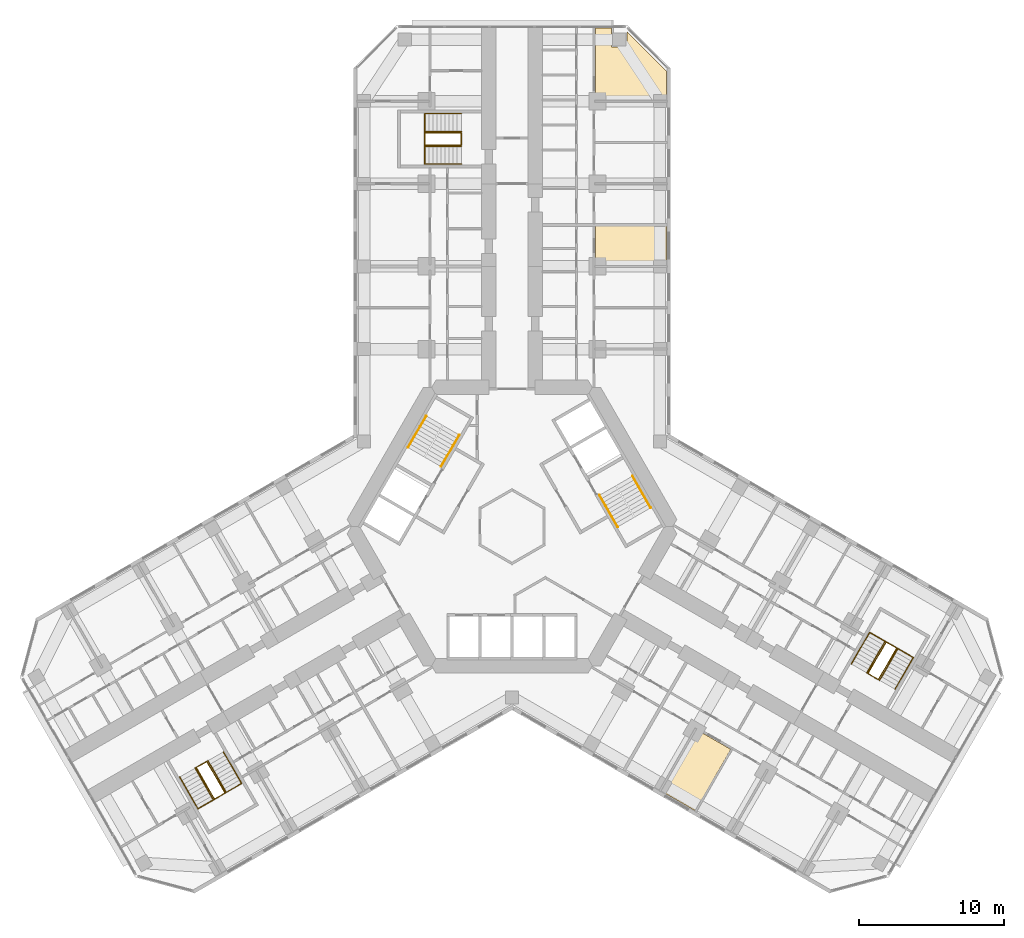
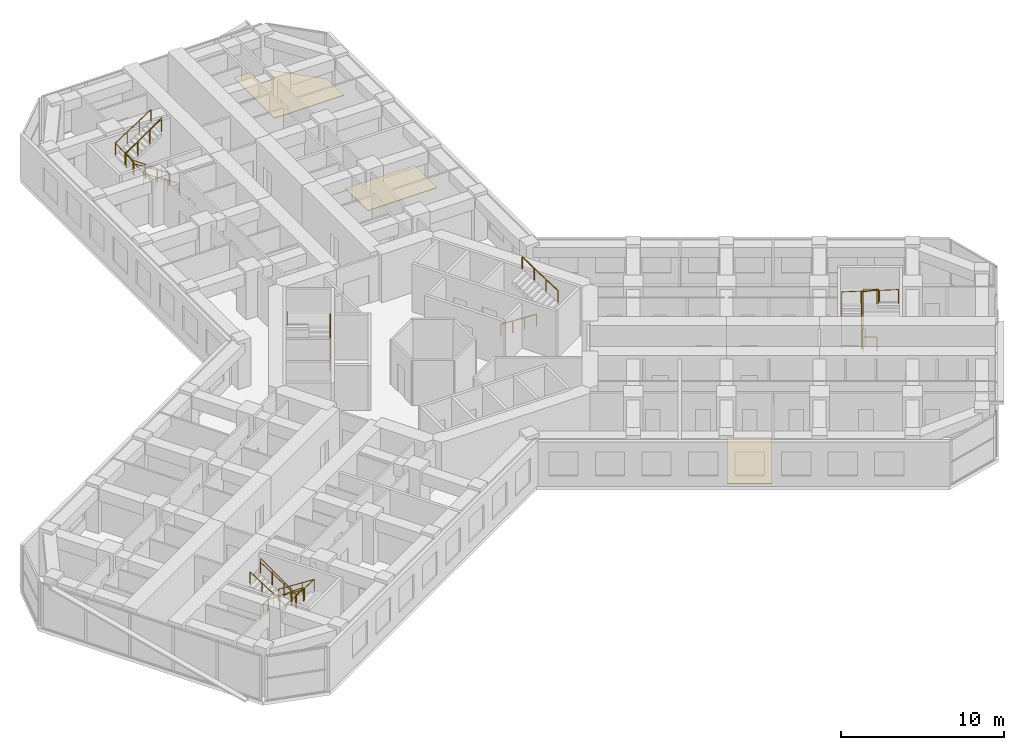
# One storey, part 21 of 21: 13 railings, 3 coverings.
"""IFC4 building model written with IfcOpenShell, lengths in metres."""

from ifc_helpers import new_model, si_unit, direction, frame, origin, origin_2d, place, context, subcontext, project, spatial, polyline, circle, outline, extrude, material, layer, layer_set, type_object, element, save


model = new_model("IFC4")

# Units and contexts
model_context = context("Model", 3, precision=1e-05, world=origin(), true_north=direction((0.0, 1.0)))
body_context = subcontext(model_context, "Body", "Model", "MODEL_VIEW")
ifc_project = project(units=[si_unit("LENGTHUNIT", "METRE"), si_unit("AREAUNIT", "SQUARE_METRE"), si_unit("VOLUMEUNIT", "CUBIC_METRE"), si_unit("PLANEANGLEUNIT", "RADIAN"), si_unit("MASSUNIT", "GRAM", prefix="KILO")], contexts=[model_context])

# Site, building, storey
site_placement = place(None, origin())
site = spatial("IfcSite", under=ifc_project, at=site_placement, CompositionType="ELEMENT")
building_placement = place(site_placement, origin())
building = spatial("IfcBuilding", under=site, at=building_placement, Name="Kosmar Iwan School Tower", CompositionType="ELEMENT")
storey_placement = place(building_placement, frame((0.0, 0.0, 88.0)))
storey = spatial("IfcBuildingStorey", under=building, at=storey_placement, Name="L21", CompositionType="ELEMENT", Elevation=88.0)

# Railings
ifc_material_1 = material(Name="Black steel", Category="steel")
railing_type_1 = type_object("IfcRailingType", Name="Stair handrail 900", PredefinedType="HANDRAIL", material=ifc_material_1)
railing_1_placement = place(storey_placement, frame((-4.89453125, 4.142333984375, 0.179931640625)))
element("IfcRailing", 1, at=railing_1_placement, inside=storey, type_object=railing_type_1, Name="Handrail ST2 flight 1", PredefinedType="HANDRAIL", context=body_context, shape_type="SweptSolid", body=[
    extrude(circle(Radius=0.02392578125, at=origin_2d()), frame((0.0, 0.0, 0.8759765625), z_axis=(0.420584145978, 0.728463801763, 0.540785970299), x_axis=(-0.866022637375, 0.500004791531, 0.0)), (0.0, 0.0, 1.0), 2.995849609375),
    extrude(circle(Radius=0.02099609375, at=origin_2d()), origin(), (0.0, 0.0, 1.0), 0.851806640625),
    extrude(circle(Radius=0.02099609375, at=origin_2d()), frame((0.419921875, 0.7275390625, 0.5400390625)), (0.0, 0.0, 1.0), 0.851806640625),
    extrude(circle(Radius=0.02099609375, at=origin_2d()), frame((0.840087890625, 1.454833984375, 1.080078125)), (0.0, 0.0, 1.0), 0.851806640625),
    extrude(circle(Radius=0.02099609375, at=origin_2d()), frame((1.260009765625, 2.182373046875, 1.6201171875)), (0.0, 0.0, 1.0), 0.851806640625),
])
railing_2_placement = place(storey_placement, frame((-5.912353515625, 7.6396484375, 1.97998046875)))
element("IfcRailing", 2, at=railing_2_placement, inside=storey, type_object=railing_type_1, Name="Handrail ST2 flight 2", PredefinedType="HANDRAIL", context=body_context, shape_type="SweptSolid", body=[
    extrude(circle(Radius=0.02392578125, at=origin_2d()), frame((0.0, 0.0, 0.8759765625), z_axis=(-0.420584145978, -0.728463801763, 0.540785970299), x_axis=(0.866022637375, -0.500004791531, 0.0)), (0.0, 0.0, 1.0), 2.995849609375),
    extrude(circle(Radius=0.02099609375, at=origin_2d()), origin(), (0.0, 0.0, 1.0), 0.851806640625),
    extrude(circle(Radius=0.02099609375, at=origin_2d()), frame((-0.419921875, -0.7275390625, 0.5400390625)), (0.0, 0.0, 1.0), 0.851806640625),
    extrude(circle(Radius=0.02099609375, at=origin_2d()), frame((-0.840087890625, -1.454833984375, 1.080078125)), (0.0, 0.0, 1.0), 0.851806640625),
    extrude(circle(Radius=0.02099609375, at=origin_2d()), frame((-1.260009765625, -2.182373046875, 1.6201171875)), (0.0, 0.0, 1.0), 0.851806640625),
])
railing_3_placement = place(storey_placement, frame((6.03466796875, 2.167724609375, 0.179931640625)))
element("IfcRailing", 3, at=railing_3_placement, inside=storey, type_object=railing_type_1, Name="Handrail ST1 flight 1", PredefinedType="HANDRAIL", context=body_context, shape_type="SweptSolid", body=[
    extrude(circle(Radius=0.02392578125, at=origin_2d()), frame((0.0, 0.0, 0.8759765625), z_axis=(0.420584145978, -0.728463801763, 0.540785970299), x_axis=(0.866022637375, 0.500004791531, 0.0)), (0.0, 0.0, 1.0), 2.995849609375),
    extrude(circle(Radius=0.02099609375, at=origin_2d()), origin(), (0.0, 0.0, 1.0), 0.851806640625),
    extrude(circle(Radius=0.02099609375, at=origin_2d()), frame((0.419921875, -0.7275390625, 0.5400390625)), (0.0, 0.0, 1.0), 0.851806640625),
    extrude(circle(Radius=0.02099609375, at=origin_2d()), frame((0.840087890625, -1.454833984375, 1.080078125)), (0.0, 0.0, 1.0), 0.851806640625),
    extrude(circle(Radius=0.02099609375, at=origin_2d()), frame((1.260009765625, -2.182373046875, 1.6201171875)), (0.0, 0.0, 1.0), 0.851806640625),
])
railing_4_placement = place(storey_placement, frame((9.572265625, 1.30029296875, 1.97998046875)))
element("IfcRailing", 4, at=railing_4_placement, inside=storey, type_object=railing_type_1, Name="Handrail ST1 flight 2", PredefinedType="HANDRAIL", context=body_context, shape_type="SweptSolid", body=[
    extrude(circle(Radius=0.02392578125, at=origin_2d()), frame((0.0, 0.0, 0.8759765625), z_axis=(-0.420584145978, 0.728463801763, 0.540785970299), x_axis=(-0.866022637375, -0.500004791531, 0.0)), (0.0, 0.0, 1.0), 2.995849609375),
    extrude(circle(Radius=0.02099609375, at=origin_2d()), origin(), (0.0, 0.0, 1.0), 0.851806640625),
    extrude(circle(Radius=0.02099609375, at=origin_2d()), frame((-0.419921875, 0.7275390625, 0.5400390625)), (0.0, 0.0, 1.0), 0.851806640625),
    extrude(circle(Radius=0.02099609375, at=origin_2d()), frame((-0.840087890625, 1.454833984375, 1.080078125)), (0.0, 0.0, 1.0), 0.851806640625),
    extrude(circle(Radius=0.02099609375, at=origin_2d()), frame((-1.260009765625, 2.182373046875, 1.6201171875)), (0.0, 0.0, 1.0), 0.851806640625),
])
railing_5_placement = place(storey_placement, frame((-3.5, 25.010009765625, 0.179931640625)))
element("IfcRailing", 5, at=railing_5_placement, inside=storey, type_object=railing_type_1, Name="Handrail stair WS1 L21 wall side", PredefinedType="HANDRAIL", context=body_context, shape_type="SweptSolid", body=[
    extrude(circle(Radius=0.02392578125, at=origin_2d()), frame((0.0, 0.0, 0.8759765625), z_axis=(-0.841162588446, 0.0, 0.540782303519), x_axis=(0.0, -1.0, 0.0)), (0.0, 0.0, 1.0), 2.995849609375),
    extrude(circle(Radius=0.02392578125, at=origin_2d()), frame((-2.52001953125, 0.0, 2.49609375), z_axis=(0.0, 0.998665981786, 0.051635809497), x_axis=(-1.0, 0.0, 0.0)), (0.0, 0.0, 1.0), 3.484619140625),
    extrude(circle(Radius=0.02392578125, at=origin_2d()), frame((-2.52001953125, 3.47998046875, 2.67578125), z_axis=(0.841162588446, 0.0, 0.540782303519), x_axis=(0.0, 1.0, 0.0)), (0.0, 0.0, 1.0), 2.995849609375),
    extrude(circle(Radius=0.02099609375, at=origin_2d()), origin(), (0.0, 0.0, 1.0), 0.851806640625),
    extrude(circle(Radius=0.02099609375, at=origin_2d()), frame((-0.840087890625, 0.0, 0.5400390625)), (0.0, 0.0, 1.0), 0.851806640625),
    extrude(circle(Radius=0.02099609375, at=origin_2d()), frame((-1.679931640625, 0.0, 1.080078125)), (0.0, 0.0, 1.0), 0.851806640625),
    extrude(circle(Radius=0.02099609375, at=origin_2d()), frame((-2.52001953125, 0.0, 1.6201171875)), (0.0, 0.0, 1.0), 0.851806640625),
    extrude(circle(Radius=0.02099609375, at=origin_2d()), frame((-2.52001953125, 1.159912109375, 1.68017578125)), (0.0, 0.0, 1.0), 0.851806640625),
    extrude(circle(Radius=0.02099609375, at=origin_2d()), frame((-2.52001953125, 2.320068359375, 1.739990234375)), (0.0, 0.0, 1.0), 0.851806640625),
    extrude(circle(Radius=0.02099609375, at=origin_2d()), frame((-2.52001953125, 3.47998046875, 1.800048828125)), (0.0, 0.0, 1.0), 0.851806640625),
    extrude(circle(Radius=0.02099609375, at=origin_2d()), frame((-1.679931640625, 3.47998046875, 2.340087890625)), (0.0, 0.0, 1.0), 0.851806640625),
    extrude(circle(Radius=0.02099609375, at=origin_2d()), frame((-0.840087890625, 3.47998046875, 2.880126953125)), (0.0, 0.0, 1.0), 0.851806640625),
    extrude(circle(Radius=0.02099609375, at=origin_2d()), frame((0.0, 3.47998046875, 3.420166015625)), (0.0, 0.0, 1.0), 0.851806640625),
])
railing_6_placement = place(storey_placement, frame((-3.5, 26.239990234375, 0.179931640625)))
element("IfcRailing", 6, at=railing_6_placement, inside=storey, type_object=railing_type_1, Name="Handrail stair WS1 L21 well side", PredefinedType="HANDRAIL", context=body_context, shape_type="SweptSolid", body=[
    extrude(circle(Radius=0.02392578125, at=origin_2d()), frame((0.0, 0.0, 0.8759765625), z_axis=(-0.841162588446, 0.0, 0.540782303519), x_axis=(0.0, -1.0, 0.0)), (0.0, 0.0, 1.0), 2.995849609375),
    extrude(circle(Radius=0.02392578125, at=origin_2d()), frame((-2.52001953125, 0.0, 2.49609375), z_axis=(0.0, 0.984795421109, 0.173718100851), x_axis=(-1.0, 0.0, 0.0)), (0.0, 0.0, 1.0), 1.035888671875),
    extrude(circle(Radius=0.02392578125, at=origin_2d()), frame((-2.52001953125, 1.02001953125, 2.67578125), z_axis=(0.841162588446, 0.0, 0.540782303519), x_axis=(0.0, 1.0, 0.0)), (0.0, 0.0, 1.0), 2.995849609375),
    extrude(circle(Radius=0.02099609375, at=origin_2d()), origin(), (0.0, 0.0, 1.0), 0.851806640625),
    extrude(circle(Radius=0.02099609375, at=origin_2d()), frame((-0.840087890625, 0.0, 0.5400390625)), (0.0, 0.0, 1.0), 0.851806640625),
    extrude(circle(Radius=0.02099609375, at=origin_2d()), frame((-1.679931640625, 0.0, 1.080078125)), (0.0, 0.0, 1.0), 0.851806640625),
    extrude(circle(Radius=0.02099609375, at=origin_2d()), frame((-2.52001953125, 0.0, 1.6201171875)), (0.0, 0.0, 1.0), 0.851806640625),
    extrude(circle(Radius=0.02099609375, at=origin_2d()), frame((-2.52001953125, 1.02001953125, 1.800048828125)), (0.0, 0.0, 1.0), 0.851806640625),
    extrude(circle(Radius=0.02099609375, at=origin_2d()), frame((-1.679931640625, 1.02001953125, 2.340087890625)), (0.0, 0.0, 1.0), 0.851806640625),
    extrude(circle(Radius=0.02099609375, at=origin_2d()), frame((-0.840087890625, 1.02001953125, 2.880126953125)), (0.0, 0.0, 1.0), 0.851806640625),
    extrude(circle(Radius=0.02099609375, at=origin_2d()), frame((0.0, 1.02001953125, 3.420166015625)), (0.0, 0.0, 1.0), 0.851806640625),
])
railing_7_placement = place(storey_placement, frame((-19.9091796875, -15.5361328125, 0.179931640625)))
element("IfcRailing", 7, at=railing_7_placement, inside=storey, type_object=railing_type_1, Name="Handrail stair WS2 L21 wall side", PredefinedType="HANDRAIL", context=body_context, shape_type="SweptSolid", body=[
    extrude(circle(Radius=0.02392578125, at=origin_2d()), frame((0.0, 0.0, 0.8759765625), z_axis=(0.420517065106, -0.728488768407, 0.540804504659), x_axis=(0.866064587494, 0.499932125682, 0.0)), (0.0, 0.0, 1.0), 2.995849609375),
    extrude(circle(Radius=0.02392578125, at=origin_2d()), frame((1.259765625, -2.182373046875, 2.49609375), z_axis=(-0.864864352349, -0.499342858003, 0.051636829851), x_axis=(0.500009906705, -0.86601968407, 0.0)), (0.0, 0.0, 1.0), 3.484619140625),
    extrude(circle(Radius=0.02392578125, at=origin_2d()), frame((-1.75390625, -3.92236328125, 2.67578125), z_axis=(-0.420584145978, 0.728463801763, 0.540785970299), x_axis=(-0.866022637375, -0.500004791531, 0.0)), (0.0, 0.0, 1.0), 2.995849609375),
    extrude(circle(Radius=0.02099609375, at=origin_2d()), origin(), (0.0, 0.0, 1.0), 0.851806640625),
    extrude(circle(Radius=0.02099609375, at=origin_2d()), frame((0.419921875, -0.7275390625, 0.5400390625)), (0.0, 0.0, 1.0), 0.851806640625),
    extrude(circle(Radius=0.02099609375, at=origin_2d()), frame((0.83984375, -1.454833984375, 1.080078125)), (0.0, 0.0, 1.0), 0.851806640625),
    extrude(circle(Radius=0.02099609375, at=origin_2d()), frame((1.259765625, -2.182373046875, 1.6201171875)), (0.0, 0.0, 1.0), 0.851806640625),
    extrude(circle(Radius=0.02099609375, at=origin_2d()), frame((0.255126953125, -2.762451171875, 1.68017578125)), (0.0, 0.0, 1.0), 0.851806640625),
    extrude(circle(Radius=0.02099609375, at=origin_2d()), frame((-0.749267578125, -3.34228515625, 1.739990234375)), (0.0, 0.0, 1.0), 0.851806640625),
    extrude(circle(Radius=0.02099609375, at=origin_2d()), frame((-1.75390625, -3.92236328125, 1.800048828125)), (0.0, 0.0, 1.0), 0.851806640625),
    extrude(circle(Radius=0.02099609375, at=origin_2d()), frame((-2.173828125, -3.19482421875, 2.340087890625)), (0.0, 0.0, 1.0), 0.851806640625),
    extrude(circle(Radius=0.02099609375, at=origin_2d()), frame((-2.593994140625, -2.467529296875, 2.880126953125)), (0.0, 0.0, 1.0), 0.851806640625),
    extrude(circle(Radius=0.02099609375, at=origin_2d()), frame((-3.013916015625, -1.739990234375, 3.420166015625)), (0.0, 0.0, 1.0), 0.851806640625),
])
railing_8_placement = place(storey_placement, frame((-20.974609375, -16.151123046875, 0.179931640625)))
element("IfcRailing", 8, at=railing_8_placement, inside=storey, type_object=railing_type_1, Name="Handrail stair WS2 L21 well side", PredefinedType="HANDRAIL", context=body_context, shape_type="SweptSolid", body=[
    extrude(circle(Radius=0.02392578125, at=origin_2d()), frame((0.0, 0.0, 0.8759765625), z_axis=(0.420584145978, -0.728463801763, 0.540785970299), x_axis=(0.866022637375, 0.500004791531, 0.0)), (0.0, 0.0, 1.0), 2.995849609375),
    extrude(circle(Radius=0.02392578125, at=origin_2d()), frame((1.260009765625, -2.182373046875, 2.49609375), z_axis=(-0.852841519511, -0.492422867401, 0.173726976197), x_axis=(0.500026340207, -0.866010195725, 0.0)), (0.0, 0.0, 1.0), 1.03564453125),
    extrude(circle(Radius=0.02392578125, at=origin_2d()), frame((0.376708984375, -2.6923828125, 2.67578125), z_axis=(-0.420584145978, 0.728463801763, 0.540785970299), x_axis=(-0.866022637375, -0.500004791531, 0.0)), (0.0, 0.0, 1.0), 2.995849609375),
    extrude(circle(Radius=0.02099609375, at=origin_2d()), origin(), (0.0, 0.0, 1.0), 0.851806640625),
    extrude(circle(Radius=0.02099609375, at=origin_2d()), frame((0.419921875, -0.7275390625, 0.5400390625)), (0.0, 0.0, 1.0), 0.851806640625),
    extrude(circle(Radius=0.02099609375, at=origin_2d()), frame((0.840087890625, -1.454833984375, 1.080078125)), (0.0, 0.0, 1.0), 0.851806640625),
    extrude(circle(Radius=0.02099609375, at=origin_2d()), frame((1.260009765625, -2.182373046875, 1.6201171875)), (0.0, 0.0, 1.0), 0.851806640625),
    extrude(circle(Radius=0.02099609375, at=origin_2d()), frame((0.376708984375, -2.6923828125, 1.800048828125)), (0.0, 0.0, 1.0), 0.851806640625),
    extrude(circle(Radius=0.02099609375, at=origin_2d()), frame((-0.043212890625, -1.96484375, 2.340087890625)), (0.0, 0.0, 1.0), 0.851806640625),
    extrude(circle(Radius=0.02099609375, at=origin_2d()), frame((-0.46337890625, -1.237548828125, 2.880126953125)), (0.0, 0.0, 1.0), 0.851806640625),
    extrude(circle(Radius=0.02099609375, at=origin_2d()), frame((-0.88330078125, -0.510009765625, 3.420166015625)), (0.0, 0.0, 1.0), 0.851806640625),
])
railing_9_placement = place(storey_placement, frame((23.4091796875, -9.473876953125, 0.179931640625)))
element("IfcRailing", 9, at=railing_9_placement, inside=storey, type_object=railing_type_1, Name="Handrail stair WS3 L21 wall side", PredefinedType="HANDRAIL", context=body_context, shape_type="SweptSolid", body=[
    extrude(circle(Radius=0.02392578125, at=origin_2d()), frame((0.0, 0.0, 0.8759765625), z_axis=(0.420584145978, 0.728463801763, 0.540785970299), x_axis=(-0.866022637375, 0.500004791531, 0.0)), (0.0, 0.0, 1.0), 2.995849609375),
    extrude(circle(Radius=0.02392578125, at=origin_2d()), frame((1.260009765625, 2.182373046875, 2.49609375), z_axis=(0.864882007433, -0.499312601618, 0.051633701051), x_axis=(0.499979528911, 0.866037222451, 0.0)), (0.0, 0.0, 1.0), 3.48486328125),
    extrude(circle(Radius=0.02392578125, at=origin_2d()), frame((4.27392578125, 0.4423828125, 2.67578125), z_axis=(-0.420584145978, -0.728463801763, 0.540785970299), x_axis=(0.866022637375, -0.500004791531, 0.0)), (0.0, 0.0, 1.0), 2.995849609375),
    extrude(circle(Radius=0.02099609375, at=origin_2d()), origin(), (0.0, 0.0, 1.0), 0.851806640625),
    extrude(circle(Radius=0.02099609375, at=origin_2d()), frame((0.419921875, 0.7275390625, 0.5400390625)), (0.0, 0.0, 1.0), 0.851806640625),
    extrude(circle(Radius=0.02099609375, at=origin_2d()), frame((0.840087890625, 1.454833984375, 1.080078125)), (0.0, 0.0, 1.0), 0.851806640625),
    extrude(circle(Radius=0.02099609375, at=origin_2d()), frame((1.260009765625, 2.182373046875, 1.6201171875)), (0.0, 0.0, 1.0), 0.851806640625),
    extrude(circle(Radius=0.02099609375, at=origin_2d()), frame((2.2646484375, 1.602294921875, 1.68017578125)), (0.0, 0.0, 1.0), 0.851806640625),
    extrude(circle(Radius=0.02099609375, at=origin_2d()), frame((3.269287109375, 1.0224609375, 1.739990234375)), (0.0, 0.0, 1.0), 0.851806640625),
    extrude(circle(Radius=0.02099609375, at=origin_2d()), frame((4.27392578125, 0.4423828125, 1.800048828125)), (0.0, 0.0, 1.0), 0.851806640625),
    extrude(circle(Radius=0.02099609375, at=origin_2d()), frame((3.85400390625, -0.28515625, 2.340087890625)), (0.0, 0.0, 1.0), 0.851806640625),
    extrude(circle(Radius=0.02099609375, at=origin_2d()), frame((3.433837890625, -1.012451171875, 2.880126953125)), (0.0, 0.0, 1.0), 0.851806640625),
    extrude(circle(Radius=0.02099609375, at=origin_2d()), frame((3.013916015625, -1.739990234375, 3.420166015625)), (0.0, 0.0, 1.0), 0.851806640625),
])
railing_10_placement = place(storey_placement, frame((24.474609375, -10.0888671875, 0.179931640625)))
element("IfcRailing", 10, at=railing_10_placement, inside=storey, type_object=railing_type_1, Name="Handrail stair WS3 L21 well side", PredefinedType="HANDRAIL", context=body_context, shape_type="SweptSolid", body=[
    extrude(circle(Radius=0.02392578125, at=origin_2d()), frame((0.0, 0.0, 0.8759765625), z_axis=(0.420584145978, 0.728463801763, 0.540785970299), x_axis=(-0.866022637375, 0.500004791531, 0.0)), (0.0, 0.0, 1.0), 2.995849609375),
    extrude(circle(Radius=0.02392578125, at=origin_2d()), frame((1.260009765625, 2.182373046875, 2.49609375), z_axis=(0.852841519511, -0.492422867401, 0.173726976197), x_axis=(0.500026340207, 0.866010195725, 0.0)), (0.0, 0.0, 1.0), 1.03564453125),
    extrude(circle(Radius=0.02392578125, at=origin_2d()), frame((2.143310546875, 1.67236328125, 2.67578125), z_axis=(-0.420584145978, -0.728463801763, 0.540785970299), x_axis=(0.866022637375, -0.500004791531, 0.0)), (0.0, 0.0, 1.0), 2.995849609375),
    extrude(circle(Radius=0.02099609375, at=origin_2d()), origin(), (0.0, 0.0, 1.0), 0.851806640625),
    extrude(circle(Radius=0.02099609375, at=origin_2d()), frame((0.419921875, 0.7275390625, 0.5400390625)), (0.0, 0.0, 1.0), 0.851806640625),
    extrude(circle(Radius=0.02099609375, at=origin_2d()), frame((0.840087890625, 1.454833984375, 1.080078125)), (0.0, 0.0, 1.0), 0.851806640625),
    extrude(circle(Radius=0.02099609375, at=origin_2d()), frame((1.260009765625, 2.182373046875, 1.6201171875)), (0.0, 0.0, 1.0), 0.851806640625),
    extrude(circle(Radius=0.02099609375, at=origin_2d()), frame((2.143310546875, 1.67236328125, 1.800048828125)), (0.0, 0.0, 1.0), 0.851806640625),
    extrude(circle(Radius=0.02099609375, at=origin_2d()), frame((1.723388671875, 0.94482421875, 2.340087890625)), (0.0, 0.0, 1.0), 0.851806640625),
    extrude(circle(Radius=0.02099609375, at=origin_2d()), frame((1.30322265625, 0.217529296875, 2.880126953125)), (0.0, 0.0, 1.0), 0.851806640625),
    extrude(circle(Radius=0.02099609375, at=origin_2d()), frame((0.88330078125, -0.510009765625, 3.420166015625)), (0.0, 0.0, 1.0), 0.851806640625),
])
ifc_material_2 = material(Name="Black steel", Category="steel")
railing_type_2 = type_object("IfcRailingType", Name="Stair well guard 1100", PredefinedType="GUARDRAIL", material=ifc_material_2)
railing_11_placement = place(storey_placement, frame((-3.5, 27.169921875, 0.0)))
element("IfcRailing", 11, at=railing_11_placement, inside=storey, type_object=railing_type_2, Name="Stair WS1 L21 well guard", PredefinedType="GUARDRAIL", context=body_context, shape_type="SweptSolid", body=[
    extrude(circle(Radius=0.02392578125, at=origin_2d()), frame((0.0, 0.0, 1.076171875), z_axis=(0.0, -1.0, 0.0), x_axis=(1.0, 0.0, 0.0)), (0.0, 0.0, 1.0), 0.83984375),
    extrude(circle(Radius=0.02392578125, at=origin_2d()), frame((0.0, -0.83984375, 1.076171875), z_axis=(-0.813728144527, 0.0, 0.581245650998), x_axis=(0.0, -1.0, 0.0)), (0.0, 0.0, 1.0), 3.096923828125),
    extrude(circle(Radius=0.02392578125, at=origin_2d()), frame((-2.52001953125, -0.83984375, 2.8759765625), z_axis=(0.0, 1.0, 0.0), x_axis=(-1.0, 0.0, 0.0)), (0.0, 0.0, 1.0), 0.83984375),
    extrude(circle(Radius=0.02392578125, at=origin_2d()), frame((-2.52001953125, 0.0, 2.8759765625), z_axis=(0.813728144527, 0.0, 0.581245650998), x_axis=(0.0, 1.0, 0.0)), (0.0, 0.0, 1.0), 3.096923828125),
    extrude(circle(Radius=0.02099609375, at=origin_2d()), origin(), (0.0, 0.0, 1.0), 1.052001953125),
    extrude(circle(Radius=0.02099609375, at=origin_2d()), frame((0.0, -0.83984375, 0.0)), (0.0, 0.0, 1.0), 1.052001953125),
    extrude(circle(Radius=0.02099609375, at=origin_2d()), frame((-0.840087890625, -0.83984375, 0.60009765625)), (0.0, 0.0, 1.0), 1.052001953125),
    extrude(circle(Radius=0.02099609375, at=origin_2d()), frame((-1.679931640625, -0.83984375, 1.199951171875)), (0.0, 0.0, 1.0), 1.052001953125),
    extrude(circle(Radius=0.02099609375, at=origin_2d()), frame((-2.52001953125, -0.83984375, 1.800048828125)), (0.0, 0.0, 1.0), 1.052001953125),
    extrude(circle(Radius=0.02099609375, at=origin_2d()), frame((-2.52001953125, 0.0, 1.800048828125)), (0.0, 0.0, 1.0), 1.052001953125),
    extrude(circle(Radius=0.02099609375, at=origin_2d()), frame((-1.679931640625, 0.0, 2.400146484375)), (0.0, 0.0, 1.0), 1.052001953125),
    extrude(circle(Radius=0.02099609375, at=origin_2d()), frame((-0.840087890625, 0.0, 3.0)), (0.0, 0.0, 1.0), 1.052001953125),
    extrude(circle(Radius=0.02099609375, at=origin_2d()), frame((0.0, 0.0, 3.60009765625)), (0.0, 0.0, 1.0), 1.052001953125),
])
railing_12_placement = place(storey_placement, frame((-21.780029296875, -16.6162109375, 0.0)))
element("IfcRailing", 12, at=railing_12_placement, inside=storey, type_object=railing_type_2, Name="Stair WS2 L21 well guard", PredefinedType="GUARDRAIL", context=body_context, shape_type="SweptSolid", body=[
    extrude(circle(Radius=0.02392578125, at=origin_2d()), frame((0.0, 0.0, 1.076171875), z_axis=(0.865962960534, 0.500108139288, 0.0), x_axis=(-0.500108139288, 0.865962960534, 0.0)), (0.0, 0.0, 1.0), 0.840087890625),
    extrude(circle(Radius=0.02392578125, at=origin_2d()), frame((0.7275390625, 0.420166015625, 1.076171875), z_axis=(0.40686665399, -0.704704712268, 0.58124933925), x_axis=(0.866022637375, 0.500004791531, 0.0)), (0.0, 0.0, 1.0), 3.096923828125),
    extrude(circle(Radius=0.02392578125, at=origin_2d()), frame((1.987548828125, -1.76220703125, 2.8759765625), z_axis=(-0.865962960534, -0.500108139288, 0.0), x_axis=(0.500108139288, -0.865962960534, 0.0)), (0.0, 0.0, 1.0), 0.840087890625),
    extrude(circle(Radius=0.02392578125, at=origin_2d()), frame((1.260009765625, -2.182373046875, 2.8759765625), z_axis=(-0.40686665399, 0.704704712268, 0.58124933925), x_axis=(-0.866022637375, -0.500004791531, 0.0)), (0.0, 0.0, 1.0), 3.096923828125),
    extrude(circle(Radius=0.02099609375, at=origin_2d()), origin(), (0.0, 0.0, 1.0), 1.052001953125),
    extrude(circle(Radius=0.02099609375, at=origin_2d()), frame((0.7275390625, 0.420166015625, 0.0)), (0.0, 0.0, 1.0), 1.052001953125),
    extrude(circle(Radius=0.02099609375, at=origin_2d()), frame((1.1474609375, -0.307373046875, 0.60009765625)), (0.0, 0.0, 1.0), 1.052001953125),
    extrude(circle(Radius=0.02099609375, at=origin_2d()), frame((1.567626953125, -1.03466796875, 1.199951171875)), (0.0, 0.0, 1.0), 1.052001953125),
    extrude(circle(Radius=0.02099609375, at=origin_2d()), frame((1.987548828125, -1.76220703125, 1.800048828125)), (0.0, 0.0, 1.0), 1.052001953125),
    extrude(circle(Radius=0.02099609375, at=origin_2d()), frame((1.260009765625, -2.182373046875, 1.800048828125)), (0.0, 0.0, 1.0), 1.052001953125),
    extrude(circle(Radius=0.02099609375, at=origin_2d()), frame((0.840087890625, -1.454833984375, 2.400146484375)), (0.0, 0.0, 1.0), 1.052001953125),
    extrude(circle(Radius=0.02099609375, at=origin_2d()), frame((0.419921875, -0.7275390625, 3.0)), (0.0, 0.0, 1.0), 1.052001953125),
    extrude(circle(Radius=0.02099609375, at=origin_2d()), frame((0.0, 0.0, 3.60009765625)), (0.0, 0.0, 1.0), 1.052001953125),
])
railing_13_placement = place(storey_placement, frame((25.280029296875, -10.553955078125, 0.0)))
element("IfcRailing", 13, at=railing_13_placement, inside=storey, type_object=railing_type_2, Name="Stair WS3 L21 well guard", PredefinedType="GUARDRAIL", context=body_context, shape_type="SweptSolid", body=[
    extrude(circle(Radius=0.02392578125, at=origin_2d()), frame((0.0, 0.0, 1.076171875), z_axis=(-0.865962960534, 0.500108139288, 0.0), x_axis=(-0.500108139288, -0.865962960534, 0.0)), (0.0, 0.0, 1.0), 0.840087890625),
    extrude(circle(Radius=0.02392578125, at=origin_2d()), frame((-0.7275390625, 0.420166015625, 1.076171875), z_axis=(0.40686665399, 0.704704712268, 0.58124933925), x_axis=(-0.866022637375, 0.500004791531, 0.0)), (0.0, 0.0, 1.0), 3.096923828125),
    extrude(circle(Radius=0.02392578125, at=origin_2d()), frame((0.532470703125, 2.6025390625, 2.8759765625), z_axis=(0.865890253765, -0.500234013672, 0.0), x_axis=(0.500234013672, 0.865890253765, 0.0)), (0.0, 0.0, 1.0), 0.83984375),
    extrude(circle(Radius=0.02392578125, at=origin_2d()), frame((1.259765625, 2.182373046875, 2.8759765625), z_axis=(-0.406800866334, -0.70472731476, 0.58126798207), x_axis=(0.866064587494, -0.499932125682, 0.0)), (0.0, 0.0, 1.0), 3.0966796875),
    extrude(circle(Radius=0.02099609375, at=origin_2d()), origin(), (0.0, 0.0, 1.0), 1.052001953125),
    extrude(circle(Radius=0.02099609375, at=origin_2d()), frame((-0.7275390625, 0.420166015625, 0.0)), (0.0, 0.0, 1.0), 1.052001953125),
    extrude(circle(Radius=0.02099609375, at=origin_2d()), frame((-0.3076171875, 1.147705078125, 0.60009765625)), (0.0, 0.0, 1.0), 1.052001953125),
    extrude(circle(Radius=0.02099609375, at=origin_2d()), frame((0.112548828125, 1.875, 1.199951171875)), (0.0, 0.0, 1.0), 1.052001953125),
    extrude(circle(Radius=0.02099609375, at=origin_2d()), frame((0.532470703125, 2.6025390625, 1.800048828125)), (0.0, 0.0, 1.0), 1.052001953125),
    extrude(circle(Radius=0.02099609375, at=origin_2d()), frame((1.259765625, 2.182373046875, 1.800048828125)), (0.0, 0.0, 1.0), 1.052001953125),
    extrude(circle(Radius=0.02099609375, at=origin_2d()), frame((0.83984375, 1.454833984375, 2.400146484375)), (0.0, 0.0, 1.0), 1.052001953125),
    extrude(circle(Radius=0.02099609375, at=origin_2d()), frame((0.419921875, 0.7275390625, 3.0)), (0.0, 0.0, 1.0), 1.052001953125),
    extrude(circle(Radius=0.02099609375, at=origin_2d()), frame((0.0, 0.0, 3.60009765625)), (0.0, 0.0, 1.0), 1.052001953125),
])

# Coverings
ifc_material_3 = material(Name="Honed limestone on mortar bed", Category="masonry")
ifc_layer = layer(ifc_material_3, 0.0400390625)
ifc_layer_set = layer_set([ifc_layer], Name="Winter garden stone flooring 40")
covering_type = type_object("IfcCoveringType", Name="Winter garden stone flooring 40", PredefinedType="FLOORING", material=ifc_layer_set)
covering_1_placement = place(storey_placement, origin())
element("IfcCovering", 14, at=covering_1_placement, inside=storey, type_object=covering_type, Name="Winter garden flooring L21-AR1-F4", PredefinedType="FLOORING", context=body_context, shape_type="SweptSolid", body=[
    extrude(outline(polyline([(5.760009765625, 18.0), (10.64990234375, 18.0), (10.64990234375, 20.75), (5.760009765625, 20.75), (5.760009765625, 18.0)])), origin(), (0.0, 0.0, 1.0), 0.0400390625),
])
covering_2_placement = place(storey_placement, origin())
element("IfcCovering", 15, at=covering_2_placement, inside=storey, type_object=covering_type, Name="Winter garden flooring L21-AR2-F4", PredefinedType="FLOORING", context=body_context, shape_type="SweptSolid", body=[
    extrude(outline(polyline([(5.760009765625, 29.39990234375), (10.64990234375, 29.39990234375), (10.64990234375, 31.42919921875), (7.919921875, 34.1591796875), (7.919921875, 33.080078125), (6.8798828125, 33.080078125), (6.8798828125, 34.39990234375), (5.760009765625, 34.39990234375), (5.760009765625, 29.39990234375)])), origin(), (0.0, 0.0, 1.0), 0.0400390625),
])
covering_3_placement = place(storey_placement, origin())
element("IfcCovering", 16, at=covering_3_placement, inside=storey, type_object=covering_type, Name="Winter garden flooring L21-CR2-F2", PredefinedType="FLOORING", context=body_context, shape_type="SweptSolid", body=[
    extrude(outline(polyline([(12.64501953125, -19.59814453125), (15.090087890625, -15.36328125), (12.70849609375, -13.98828125), (10.263427734375, -18.22314453125), (12.64501953125, -19.59814453125)])), origin(), (0.0, 0.0, 1.0), 0.0400390625),
])

save(model, "model.ifc")
